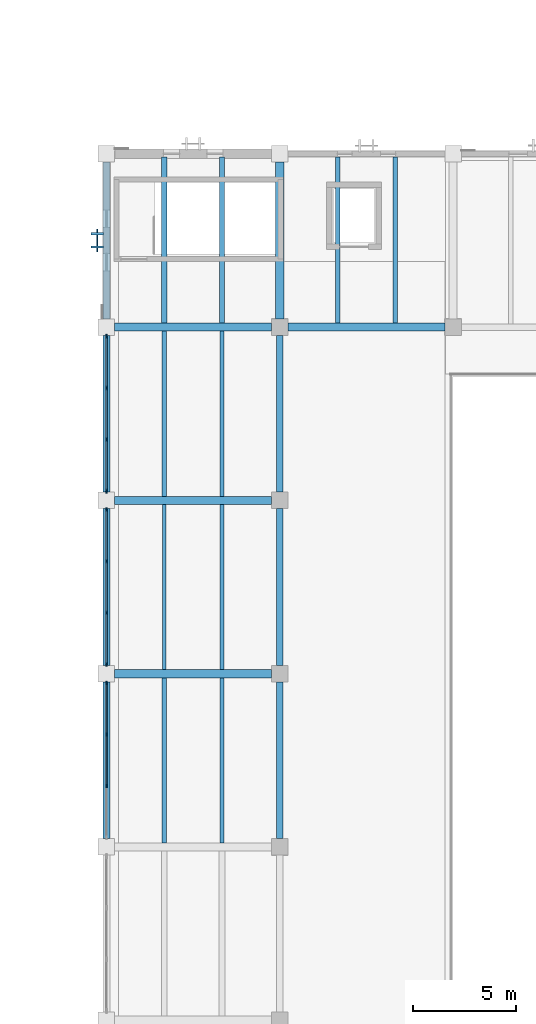
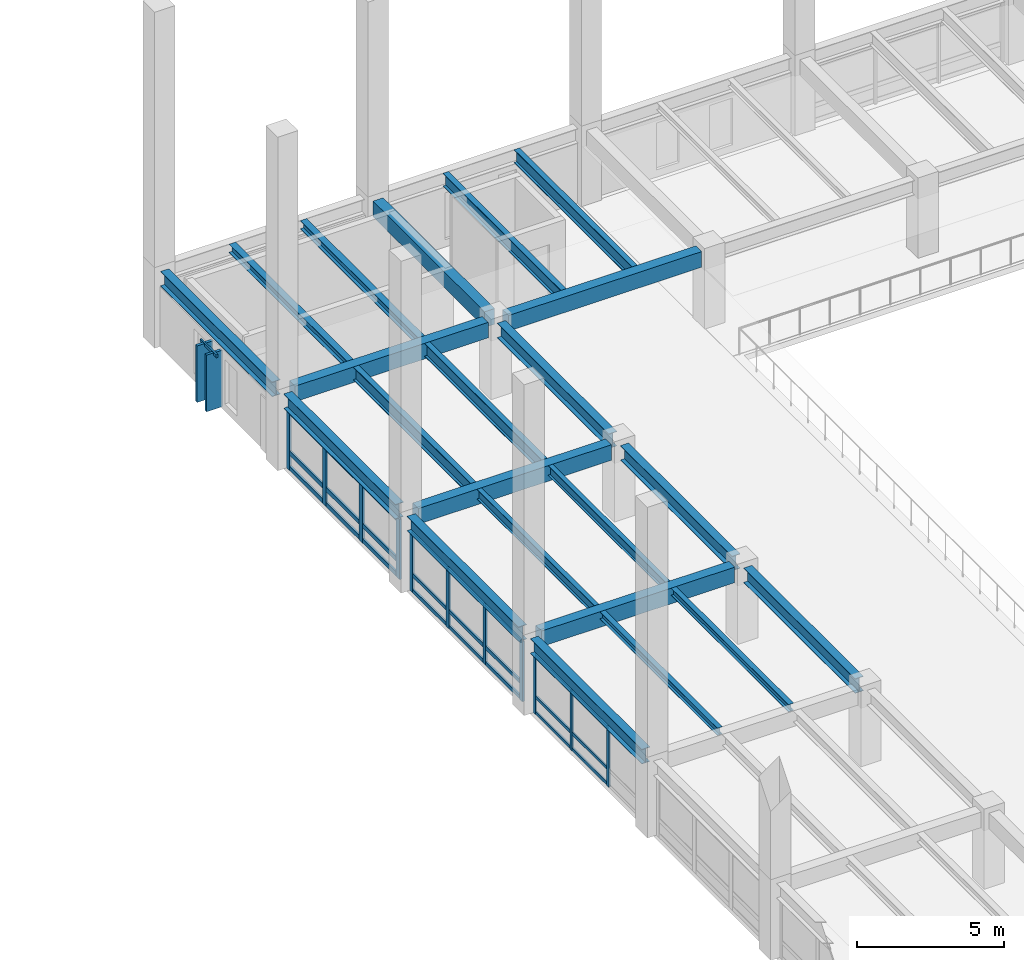
# One storey, part 6 of 64: 38 members, 22 beams, 4 elements without a shape of their own.
"""IFC4 building model written with IfcOpenShell, lengths in metres."""

from ifc_helpers import new_model, si_unit, direction, frame, origin, origin_2d, place, context, subcontext, project, spatial, rectangle, i_section, extrude, material, material_profile, profile_set, type_object, element, aggregate, save


model = new_model("IFC4")

# Units and contexts
model_context = context("Model", 3, precision=1e-05, world=origin(), true_north=direction((0.0, 1.0)))
body_context = subcontext(model_context, "Body", "Model", "MODEL_VIEW")
ifc_project = project(units=[si_unit("LENGTHUNIT", "METRE"), si_unit("AREAUNIT", "SQUARE_METRE"), si_unit("VOLUMEUNIT", "CUBIC_METRE"), si_unit("PLANEANGLEUNIT", "RADIAN"), si_unit("MASSUNIT", "GRAM", prefix="KILO")], contexts=[model_context])

# Site, building, storey
site_placement = place(None, origin())
site = spatial("IfcSite", under=ifc_project, at=site_placement, CompositionType="ELEMENT")
building_placement = place(site_placement, origin())
building = spatial("IfcBuilding", under=site, at=building_placement, Name="Cumbredor Promenade Congress Hotel", CompositionType="ELEMENT")
storey_placement = place(building_placement, frame((0.0, 0.0, 18.47998046875)))
storey = spatial("IfcBuildingStorey", under=building, at=storey_placement, Name="L05", CompositionType="ELEMENT", Elevation=18.47998046875)

# Beams
ifc_material_1 = material(Name="Concrete C40/50", Category="concrete")
ifc_material_profile_1 = material_profile(ifc_material_1, rectangle(XDim=0.39990234375, YDim=0.64990234375, at=origin_2d()), Name="RC BEAM 400x650")
ifc_profile_set_1 = profile_set([ifc_material_profile_1], Name="Concrete C40/50")
beam_type_1 = type_object("IfcBeamType", Name="BM-RC-400x650", PredefinedType="BEAM", material=ifc_profile_set_1)
for number, where, z_axis, x_axis, name in (
    (1, (8.800048828125, 42.0, 2.794921875), (1.0, 0.0, 0.0), (0.0, 1.0, 0.0), "L06 X-Grid Beam 016"),
    (2, (8.800048828125, 50.39990234375, 2.794921875), (1.0, 0.0, 0.0), (0.0, 1.0, 0.0), "L06 X-Grid Beam 018"),
    (3, (8.800048828125, 58.800048828125, 2.794921875), (1.0, 0.0, 0.0), (0.0, 1.0, 0.0), "L06 X-Grid Beam 020"),
):
    element("IfcBeam", number, at=place(storey_placement, frame(where, z_axis=z_axis, x_axis=x_axis)), inside=storey, type_object=beam_type_1, Name=name, PredefinedType="BEAM", context=body_context, shape_type="SweptSolid", body=[
        extrude(rectangle(XDim=0.39990234375, YDim=0.64990234375, at=origin_2d()), origin(), (0.0, 0.0, 1.0), 7.599853515625),
    ])
for number, where, z_axis, x_axis, name in (
    (4, (17.199951171875, 58.800048828125, 2.794921875), (1.0, 0.0, 0.0), (0.0, 1.0, 0.0), "L06 X-Grid Beam 038"),
    (5, (16.800048828125, 59.199951171875, 2.794921875), (0.0, 1.0, 0.0), (-1.0, 0.0, 0.0), "L06 Y-Grid Beam 039"),
):
    element("IfcBeam", number, at=place(storey_placement, frame(where, z_axis=z_axis, x_axis=x_axis)), inside=storey, type_object=beam_type_1, Name=name, PredefinedType="BEAM", context=body_context, shape_type="SweptSolid", body=[
        extrude(rectangle(XDim=0.39990234375, YDim=0.64990234375, at=origin_2d()), origin(), (0.0, 0.0, 1.0), 7.60009765625),
    ])

# Curtain wall, members
ifc_material_2 = material(Name="Thermally broken anodized aluminium and low-E glass", Category="aluminium")
curtain_wall_type_1 = type_object("IfcCurtainWallType", Name="Unitised Bronze Curtain Wall CW-01", PredefinedType="NOTDEFINED", material=ifc_material_2)
curtain_wall_1_placement = place(storey_placement, origin())
curtain_wall_1 = element("IfcCurtainWall", 6, at=curtain_wall_1_placement, inside=storey, type_object=curtain_wall_type_1, Name="L05 Plenary Congress Hall West Curtain Wall 4", PredefinedType="NOTDEFINED")
ifc_material_3 = material(Name="Thermally broken anodized aluminium", Category="aluminium")
ifc_material_profile_2 = material_profile(ifc_material_3, rectangle(XDim=0.06494140625, YDim=0.159912109375, at=origin_2d()), Name="ALU MULLION 65x160")
ifc_profile_set_2 = profile_set([ifc_material_profile_2], Name="Thermally broken anodized aluminium")
member_type_1 = type_object("IfcMemberType", Name="Curtain Wall Mullion ML-01", PredefinedType="MULLION", material=ifc_profile_set_2)
member_1_placement = place(storey_placement, frame((8.39990234375, 36.5517578125, -0.008056640625), z_axis=(0.0, 0.0, 1.0), x_axis=(1.0, 0.0, 0.0)))
member_1 = element("IfcMember", 7, at=member_1_placement, type_object=member_type_1, Name="L05 Plenary Congress Hall West Curtain Wall 4 Mullion 2", PredefinedType="MULLION", context=body_context, shape_type="SweptSolid", body=[
    extrude(rectangle(XDim=0.06494140625, YDim=0.159912109375, at=origin_2d()), origin(), (0.0, 0.0, 1.0), 2.510009765625),
])
member_2_placement = place(storey_placement, frame((8.39990234375, 39.04833984375, -0.008056640625), z_axis=(0.0, 0.0, 1.0), x_axis=(1.0, 0.0, 0.0)))
member_2 = element("IfcMember", 8, at=member_2_placement, type_object=member_type_1, Name="L05 Plenary Congress Hall West Curtain Wall 4 Mullion 3", PredefinedType="MULLION", context=body_context, shape_type="SweptSolid", body=[
    extrude(rectangle(XDim=0.06494140625, YDim=0.159912109375, at=origin_2d()), origin(), (0.0, 0.0, 1.0), 2.510009765625),
])
member_3_placement = place(storey_placement, frame((8.39990234375, 41.544921875, -0.008056640625), z_axis=(0.0, 0.0, 1.0), x_axis=(1.0, 0.0, 0.0)))
member_3 = element("IfcMember", 9, at=member_3_placement, type_object=member_type_1, Name="L05 Plenary Congress Hall West Curtain Wall 4 Mullion 4", PredefinedType="MULLION", context=body_context, shape_type="SweptSolid", body=[
    extrude(rectangle(XDim=0.06494140625, YDim=0.159912109375, at=origin_2d()), origin(), (0.0, 0.0, 1.0), 2.510009765625),
])

curtain_wall_2_placement = place(storey_placement, origin())
curtain_wall_2 = element("IfcCurtainWall", 10, at=curtain_wall_2_placement, inside=storey, type_object=curtain_wall_type_1, Name="L05 Plenary Congress Hall West Curtain Wall 5", PredefinedType="NOTDEFINED")
ifc_material_profile_3 = material_profile(ifc_material_3, rectangle(XDim=0.074951171875, YDim=0.199951171875, at=origin_2d()), Name="ALU MULLION 75x200")
ifc_profile_set_3 = profile_set([ifc_material_profile_3], Name="Thermally broken anodized aluminium")
member_type_2 = type_object("IfcMemberType", Name="Curtain Wall Mullion ML-02", PredefinedType="MULLION", material=ifc_profile_set_3)
member_4_placement = place(storey_placement, frame((8.39990234375, 42.455078125, -0.008056640625), z_axis=(0.0, 0.0, 1.0), x_axis=(1.0, 0.0, 0.0)))
member_4 = element("IfcMember", 11, at=member_4_placement, type_object=member_type_2, Name="L05 Plenary Congress Hall West Curtain Wall 5 Mullion 1", PredefinedType="MULLION", context=body_context, shape_type="SweptSolid", body=[
    extrude(rectangle(XDim=0.074951171875, YDim=0.199951171875, at=origin_2d()), origin(), (0.0, 0.0, 1.0), 2.510009765625),
])
member_5_placement = place(storey_placement, frame((8.39990234375, 44.95166015625, -0.008056640625), z_axis=(0.0, 0.0, 1.0), x_axis=(1.0, 0.0, 0.0)))
member_5 = element("IfcMember", 12, at=member_5_placement, type_object=member_type_2, Name="L05 Plenary Congress Hall West Curtain Wall 5 Mullion 2", PredefinedType="MULLION", context=body_context, shape_type="SweptSolid", body=[
    extrude(rectangle(XDim=0.074951171875, YDim=0.199951171875, at=origin_2d()), origin(), (0.0, 0.0, 1.0), 2.510009765625),
])
member_6_placement = place(storey_placement, frame((8.39990234375, 47.4482421875, -0.008056640625), z_axis=(0.0, 0.0, 1.0), x_axis=(1.0, 0.0, 0.0)))
member_6 = element("IfcMember", 13, at=member_6_placement, type_object=member_type_2, Name="L05 Plenary Congress Hall West Curtain Wall 5 Mullion 3", PredefinedType="MULLION", context=body_context, shape_type="SweptSolid", body=[
    extrude(rectangle(XDim=0.074951171875, YDim=0.199951171875, at=origin_2d()), origin(), (0.0, 0.0, 1.0), 2.510009765625),
])
member_7_placement = place(storey_placement, frame((8.39990234375, 49.945068359375, -0.008056640625), z_axis=(0.0, 0.0, 1.0), x_axis=(1.0, 0.0, 0.0)))
member_7 = element("IfcMember", 14, at=member_7_placement, type_object=member_type_2, Name="L05 Plenary Congress Hall West Curtain Wall 5 Mullion 4", PredefinedType="MULLION", context=body_context, shape_type="SweptSolid", body=[
    extrude(rectangle(XDim=0.074951171875, YDim=0.199951171875, at=origin_2d()), origin(), (0.0, 0.0, 1.0), 2.510009765625),
])

curtain_wall_3_placement = place(storey_placement, origin())
curtain_wall_3 = element("IfcCurtainWall", 15, at=curtain_wall_3_placement, inside=storey, type_object=curtain_wall_type_1, Name="L05 Plenary Congress Hall West Curtain Wall 6", PredefinedType="NOTDEFINED")
ifc_material_profile_4 = material_profile(ifc_material_3, rectangle(XDim=0.080078125, YDim=0.239990234375, at=origin_2d()), Name="ALU MULLION 80x240")
ifc_profile_set_4 = profile_set([ifc_material_profile_4], Name="Thermally broken anodized aluminium")
member_type_3 = type_object("IfcMemberType", Name="Curtain Wall Mullion ML-03", PredefinedType="MULLION", material=ifc_profile_set_4)
member_8_placement = place(storey_placement, frame((8.39990234375, 50.85498046875, -0.008056640625), z_axis=(0.0, 0.0, 1.0), x_axis=(1.0, 0.0, 0.0)))
member_8 = element("IfcMember", 16, at=member_8_placement, type_object=member_type_3, Name="L05 Plenary Congress Hall West Curtain Wall 6 Mullion 1", PredefinedType="MULLION", context=body_context, shape_type="SweptSolid", body=[
    extrude(rectangle(XDim=0.080078125, YDim=0.239990234375, at=origin_2d()), origin(), (0.0, 0.0, 1.0), 2.510009765625),
])
member_9_placement = place(storey_placement, frame((8.39990234375, 53.351806640625, -0.008056640625), z_axis=(0.0, 0.0, 1.0), x_axis=(1.0, 0.0, 0.0)))
member_9 = element("IfcMember", 17, at=member_9_placement, type_object=member_type_3, Name="L05 Plenary Congress Hall West Curtain Wall 6 Mullion 2", PredefinedType="MULLION", context=body_context, shape_type="SweptSolid", body=[
    extrude(rectangle(XDim=0.080078125, YDim=0.239990234375, at=origin_2d()), origin(), (0.0, 0.0, 1.0), 2.510009765625),
])
member_10_placement = place(storey_placement, frame((8.39990234375, 55.848388671875, -0.008056640625), z_axis=(0.0, 0.0, 1.0), x_axis=(1.0, 0.0, 0.0)))
member_10 = element("IfcMember", 18, at=member_10_placement, type_object=member_type_3, Name="L05 Plenary Congress Hall West Curtain Wall 6 Mullion 3", PredefinedType="MULLION", context=body_context, shape_type="SweptSolid", body=[
    extrude(rectangle(XDim=0.080078125, YDim=0.239990234375, at=origin_2d()), origin(), (0.0, 0.0, 1.0), 2.510009765625),
])
member_11_placement = place(storey_placement, frame((8.39990234375, 58.344970703125, -0.008056640625), z_axis=(0.0, 0.0, 1.0), x_axis=(1.0, 0.0, 0.0)))
member_11 = element("IfcMember", 19, at=member_11_placement, type_object=member_type_3, Name="L05 Plenary Congress Hall West Curtain Wall 6 Mullion 4", PredefinedType="MULLION", context=body_context, shape_type="SweptSolid", body=[
    extrude(rectangle(XDim=0.080078125, YDim=0.239990234375, at=origin_2d()), origin(), (0.0, 0.0, 1.0), 2.510009765625),
])

# Member
ifc_material_profile_5 = material_profile(ifc_material_3, rectangle(XDim=0.06494140625, YDim=0.1298828125, at=origin_2d()), Name="ALU TRANSOM 65x130")
ifc_profile_set_5 = profile_set([ifc_material_profile_5], Name="Thermally broken anodized aluminium")
member_type_4 = type_object("IfcMemberType", Name="Curtain Wall Transom TR-01", PredefinedType="USERDEFINED", material=ifc_profile_set_5)
member_12_placement = place(storey_placement, frame((8.39990234375, 36.584228515625, 0.070068359375), z_axis=(0.0, 1.0, 0.0), x_axis=(-1.0, 0.0, 0.0)))
member_12 = element("IfcMember", 20, at=member_12_placement, type_object=member_type_4, Name="L05 Plenary Congress Hall West Curtain Wall 4 Transom 2.1", ObjectType="TRANSOM", PredefinedType="USERDEFINED", context=body_context, shape_type="SweptSolid", body=[
    extrude(rectangle(XDim=0.06494140625, YDim=0.1298828125, at=origin_2d()), origin(), (0.0, 0.0, 1.0), 2.431640625),
])

member_13_placement = place(storey_placement, frame((8.39990234375, 36.584228515625, 0.719970703125), z_axis=(0.0, 1.0, 0.0), x_axis=(-1.0, 0.0, 0.0)))
member_13 = element("IfcMember", 21, at=member_13_placement, type_object=member_type_4, Name="L05 Plenary Congress Hall West Curtain Wall 4 Transom 2.2", ObjectType="TRANSOM", PredefinedType="USERDEFINED", context=body_context, shape_type="SweptSolid", body=[
    extrude(rectangle(XDim=0.06494140625, YDim=0.1298828125, at=origin_2d()), origin(), (0.0, 0.0, 1.0), 2.431640625),
])

member_14_placement = place(storey_placement, frame((8.39990234375, 36.584228515625, 2.429931640625), z_axis=(0.0, 1.0, 0.0), x_axis=(-1.0, 0.0, 0.0)))
member_14 = element("IfcMember", 22, at=member_14_placement, type_object=member_type_4, Name="L05 Plenary Congress Hall West Curtain Wall 4 Transom 2.3", ObjectType="TRANSOM", PredefinedType="USERDEFINED", context=body_context, shape_type="SweptSolid", body=[
    extrude(rectangle(XDim=0.06494140625, YDim=0.1298828125, at=origin_2d()), origin(), (0.0, 0.0, 1.0), 2.431640625),
])

member_15_placement = place(storey_placement, frame((8.39990234375, 39.080810546875, 0.070068359375), z_axis=(0.0, 1.0, 0.0), x_axis=(-1.0, 0.0, 0.0)))
member_15 = element("IfcMember", 23, at=member_15_placement, type_object=member_type_4, Name="L05 Plenary Congress Hall West Curtain Wall 4 Transom 3.1", ObjectType="TRANSOM", PredefinedType="USERDEFINED", context=body_context, shape_type="SweptSolid", body=[
    extrude(rectangle(XDim=0.06494140625, YDim=0.1298828125, at=origin_2d()), origin(), (0.0, 0.0, 1.0), 2.431640625),
])

member_16_placement = place(storey_placement, frame((8.39990234375, 39.080810546875, 0.719970703125), z_axis=(0.0, 1.0, 0.0), x_axis=(-1.0, 0.0, 0.0)))
member_16 = element("IfcMember", 24, at=member_16_placement, type_object=member_type_4, Name="L05 Plenary Congress Hall West Curtain Wall 4 Transom 3.2", ObjectType="TRANSOM", PredefinedType="USERDEFINED", context=body_context, shape_type="SweptSolid", body=[
    extrude(rectangle(XDim=0.06494140625, YDim=0.1298828125, at=origin_2d()), origin(), (0.0, 0.0, 1.0), 2.431640625),
])

member_17_placement = place(storey_placement, frame((8.39990234375, 39.080810546875, 2.429931640625), z_axis=(0.0, 1.0, 0.0), x_axis=(-1.0, 0.0, 0.0)))
member_17 = element("IfcMember", 25, at=member_17_placement, type_object=member_type_4, Name="L05 Plenary Congress Hall West Curtain Wall 4 Transom 3.3", ObjectType="TRANSOM", PredefinedType="USERDEFINED", context=body_context, shape_type="SweptSolid", body=[
    extrude(rectangle(XDim=0.06494140625, YDim=0.1298828125, at=origin_2d()), origin(), (0.0, 0.0, 1.0), 2.431640625),
])

aggregate(curtain_wall_1, [member_1, member_2, member_3, member_12, member_13, member_14, member_15, member_16, member_17])

# Curtain wall, member
curtain_wall_type_2 = type_object("IfcCurtainWallType", Name="Solar Brise-Soleil Screen Assembly CW-07", PredefinedType="NOTDEFINED", material=ifc_material_2)
curtain_wall_4_placement = place(storey_placement, origin())
curtain_wall_4 = element("IfcCurtainWall", 26, at=curtain_wall_4_placement, inside=storey, type_object=curtain_wall_type_2, Name="L05 Pier Brise-Soleil Screen 0838", PredefinedType="NOTDEFINED")
member_18_placement = place(storey_placement, frame((7.949951171875, 62.449951171875, 2.333984375), z_axis=(0.0, 1.0, 0.0), x_axis=(-1.0, 0.0, 0.0)))
member_18 = element("IfcMember", 27, at=member_18_placement, type_object=member_type_4, Name="L05 Pier Brise-Soleil Header 0840", ObjectType="TRANSOM", PredefinedType="USERDEFINED", context=body_context, shape_type="SweptSolid", body=[
    extrude(rectangle(XDim=0.06494140625, YDim=0.1298828125, at=origin_2d()), origin(), (0.0, 0.0, 1.0), 1.10009765625),
])

# Member
ifc_material_profile_6 = material_profile(ifc_material_3, rectangle(XDim=0.074951171875, YDim=0.14990234375, at=origin_2d()), Name="ALU TRANSOM 75x150")
ifc_profile_set_6 = profile_set([ifc_material_profile_6], Name="Thermally broken anodized aluminium")
member_type_5 = type_object("IfcMemberType", Name="Curtain Wall Transom TR-02", PredefinedType="USERDEFINED", material=ifc_profile_set_6)
member_19_placement = place(storey_placement, frame((8.39990234375, 42.492431640625, 0.070068359375), z_axis=(0.0, 1.0, 0.0), x_axis=(-1.0, 0.0, 0.0)))
member_19 = element("IfcMember", 28, at=member_19_placement, type_object=member_type_5, Name="L05 Plenary Congress Hall West Curtain Wall 5 Transom 1.1", ObjectType="TRANSOM", PredefinedType="USERDEFINED", context=body_context, shape_type="SweptSolid", body=[
    extrude(rectangle(XDim=0.074951171875, YDim=0.14990234375, at=origin_2d()), origin(), (0.0, 0.0, 1.0), 2.421875),
])

member_20_placement = place(storey_placement, frame((8.39990234375, 42.492431640625, 0.719970703125), z_axis=(0.0, 1.0, 0.0), x_axis=(-1.0, 0.0, 0.0)))
member_20 = element("IfcMember", 29, at=member_20_placement, type_object=member_type_5, Name="L05 Plenary Congress Hall West Curtain Wall 5 Transom 1.2", ObjectType="TRANSOM", PredefinedType="USERDEFINED", context=body_context, shape_type="SweptSolid", body=[
    extrude(rectangle(XDim=0.074951171875, YDim=0.14990234375, at=origin_2d()), origin(), (0.0, 0.0, 1.0), 2.421875),
])

member_21_placement = place(storey_placement, frame((8.39990234375, 42.492431640625, 2.419921875), z_axis=(0.0, 1.0, 0.0), x_axis=(-1.0, 0.0, 0.0)))
member_21 = element("IfcMember", 30, at=member_21_placement, type_object=member_type_5, Name="L05 Plenary Congress Hall West Curtain Wall 5 Transom 1.3", ObjectType="TRANSOM", PredefinedType="USERDEFINED", context=body_context, shape_type="SweptSolid", body=[
    extrude(rectangle(XDim=0.074951171875, YDim=0.14990234375, at=origin_2d()), origin(), (0.0, 0.0, 1.0), 2.421875),
])

member_22_placement = place(storey_placement, frame((8.39990234375, 44.9892578125, 0.070068359375), z_axis=(0.0, 1.0, 0.0), x_axis=(-1.0, 0.0, 0.0)))
member_22 = element("IfcMember", 31, at=member_22_placement, type_object=member_type_5, Name="L05 Plenary Congress Hall West Curtain Wall 5 Transom 2.1", ObjectType="TRANSOM", PredefinedType="USERDEFINED", context=body_context, shape_type="SweptSolid", body=[
    extrude(rectangle(XDim=0.074951171875, YDim=0.14990234375, at=origin_2d()), origin(), (0.0, 0.0, 1.0), 2.421630859375),
])

member_23_placement = place(storey_placement, frame((8.39990234375, 44.9892578125, 0.719970703125), z_axis=(0.0, 1.0, 0.0), x_axis=(-1.0, 0.0, 0.0)))
member_23 = element("IfcMember", 32, at=member_23_placement, type_object=member_type_5, Name="L05 Plenary Congress Hall West Curtain Wall 5 Transom 2.2", ObjectType="TRANSOM", PredefinedType="USERDEFINED", context=body_context, shape_type="SweptSolid", body=[
    extrude(rectangle(XDim=0.074951171875, YDim=0.14990234375, at=origin_2d()), origin(), (0.0, 0.0, 1.0), 2.421630859375),
])

member_24_placement = place(storey_placement, frame((8.39990234375, 44.9892578125, 2.419921875), z_axis=(0.0, 1.0, 0.0), x_axis=(-1.0, 0.0, 0.0)))
member_24 = element("IfcMember", 33, at=member_24_placement, type_object=member_type_5, Name="L05 Plenary Congress Hall West Curtain Wall 5 Transom 2.3", ObjectType="TRANSOM", PredefinedType="USERDEFINED", context=body_context, shape_type="SweptSolid", body=[
    extrude(rectangle(XDim=0.074951171875, YDim=0.14990234375, at=origin_2d()), origin(), (0.0, 0.0, 1.0), 2.421630859375),
])

member_25_placement = place(storey_placement, frame((8.39990234375, 47.48583984375, 0.070068359375), z_axis=(0.0, 1.0, 0.0), x_axis=(-1.0, 0.0, 0.0)))
member_25 = element("IfcMember", 34, at=member_25_placement, type_object=member_type_5, Name="L05 Plenary Congress Hall West Curtain Wall 5 Transom 3.1", ObjectType="TRANSOM", PredefinedType="USERDEFINED", context=body_context, shape_type="SweptSolid", body=[
    extrude(rectangle(XDim=0.074951171875, YDim=0.14990234375, at=origin_2d()), origin(), (0.0, 0.0, 1.0), 2.421630859375),
])

member_26_placement = place(storey_placement, frame((8.39990234375, 47.48583984375, 0.719970703125), z_axis=(0.0, 1.0, 0.0), x_axis=(-1.0, 0.0, 0.0)))
member_26 = element("IfcMember", 35, at=member_26_placement, type_object=member_type_5, Name="L05 Plenary Congress Hall West Curtain Wall 5 Transom 3.2", ObjectType="TRANSOM", PredefinedType="USERDEFINED", context=body_context, shape_type="SweptSolid", body=[
    extrude(rectangle(XDim=0.074951171875, YDim=0.14990234375, at=origin_2d()), origin(), (0.0, 0.0, 1.0), 2.421630859375),
])

member_27_placement = place(storey_placement, frame((8.39990234375, 47.48583984375, 2.419921875), z_axis=(0.0, 1.0, 0.0), x_axis=(-1.0, 0.0, 0.0)))
member_27 = element("IfcMember", 36, at=member_27_placement, type_object=member_type_5, Name="L05 Plenary Congress Hall West Curtain Wall 5 Transom 3.3", ObjectType="TRANSOM", PredefinedType="USERDEFINED", context=body_context, shape_type="SweptSolid", body=[
    extrude(rectangle(XDim=0.074951171875, YDim=0.14990234375, at=origin_2d()), origin(), (0.0, 0.0, 1.0), 2.421630859375),
])

aggregate(curtain_wall_2, [member_4, member_5, member_6, member_7, member_19, member_20, member_21, member_22, member_23, member_24, member_25, member_26, member_27])

ifc_material_profile_7 = material_profile(ifc_material_3, rectangle(XDim=0.080078125, YDim=0.179931640625, at=origin_2d()), Name="ALU TRANSOM 80x180")
ifc_profile_set_7 = profile_set([ifc_material_profile_7], Name="Thermally broken anodized aluminium")
member_type_6 = type_object("IfcMemberType", Name="Curtain Wall Transom TR-03", PredefinedType="USERDEFINED", material=ifc_profile_set_7)
member_28_placement = place(storey_placement, frame((8.39990234375, 50.89501953125, 0.090087890625), z_axis=(0.0, 1.0, 0.0), x_axis=(-1.0, 0.0, 0.0)))
member_28 = element("IfcMember", 37, at=member_28_placement, type_object=member_type_6, Name="L05 Plenary Congress Hall West Curtain Wall 6 Transom 1.1", ObjectType="TRANSOM", PredefinedType="USERDEFINED", context=body_context, shape_type="SweptSolid", body=[
    extrude(rectangle(XDim=0.080078125, YDim=0.179931640625, at=origin_2d()), origin(), (0.0, 0.0, 1.0), 2.416748046875),
])

member_29_placement = place(storey_placement, frame((8.39990234375, 50.89501953125, 0.719970703125), z_axis=(0.0, 1.0, 0.0), x_axis=(-1.0, 0.0, 0.0)))
member_29 = element("IfcMember", 38, at=member_29_placement, type_object=member_type_6, Name="L05 Plenary Congress Hall West Curtain Wall 6 Transom 1.2", ObjectType="TRANSOM", PredefinedType="USERDEFINED", context=body_context, shape_type="SweptSolid", body=[
    extrude(rectangle(XDim=0.080078125, YDim=0.179931640625, at=origin_2d()), origin(), (0.0, 0.0, 1.0), 2.416748046875),
])

member_30_placement = place(storey_placement, frame((8.39990234375, 50.89501953125, 2.39990234375), z_axis=(0.0, 1.0, 0.0), x_axis=(-1.0, 0.0, 0.0)))
member_30 = element("IfcMember", 39, at=member_30_placement, type_object=member_type_6, Name="L05 Plenary Congress Hall West Curtain Wall 6 Transom 1.3", ObjectType="TRANSOM", PredefinedType="USERDEFINED", context=body_context, shape_type="SweptSolid", body=[
    extrude(rectangle(XDim=0.080078125, YDim=0.179931640625, at=origin_2d()), origin(), (0.0, 0.0, 1.0), 2.416748046875),
])

member_31_placement = place(storey_placement, frame((8.39990234375, 53.3916015625, 0.090087890625), z_axis=(0.0, 1.0, 0.0), x_axis=(-1.0, 0.0, 0.0)))
member_31 = element("IfcMember", 40, at=member_31_placement, type_object=member_type_6, Name="L05 Plenary Congress Hall West Curtain Wall 6 Transom 2.1", ObjectType="TRANSOM", PredefinedType="USERDEFINED", context=body_context, shape_type="SweptSolid", body=[
    extrude(rectangle(XDim=0.080078125, YDim=0.179931640625, at=origin_2d()), origin(), (0.0, 0.0, 1.0), 2.416748046875),
])

member_32_placement = place(storey_placement, frame((8.39990234375, 53.3916015625, 0.719970703125), z_axis=(0.0, 1.0, 0.0), x_axis=(-1.0, 0.0, 0.0)))
member_32 = element("IfcMember", 41, at=member_32_placement, type_object=member_type_6, Name="L05 Plenary Congress Hall West Curtain Wall 6 Transom 2.2", ObjectType="TRANSOM", PredefinedType="USERDEFINED", context=body_context, shape_type="SweptSolid", body=[
    extrude(rectangle(XDim=0.080078125, YDim=0.179931640625, at=origin_2d()), origin(), (0.0, 0.0, 1.0), 2.416748046875),
])

member_33_placement = place(storey_placement, frame((8.39990234375, 53.3916015625, 2.39990234375), z_axis=(0.0, 1.0, 0.0), x_axis=(-1.0, 0.0, 0.0)))
member_33 = element("IfcMember", 42, at=member_33_placement, type_object=member_type_6, Name="L05 Plenary Congress Hall West Curtain Wall 6 Transom 2.3", ObjectType="TRANSOM", PredefinedType="USERDEFINED", context=body_context, shape_type="SweptSolid", body=[
    extrude(rectangle(XDim=0.080078125, YDim=0.179931640625, at=origin_2d()), origin(), (0.0, 0.0, 1.0), 2.416748046875),
])

member_34_placement = place(storey_placement, frame((8.39990234375, 55.88818359375, 0.090087890625), z_axis=(0.0, 1.0, 0.0), x_axis=(-1.0, 0.0, 0.0)))
member_34 = element("IfcMember", 43, at=member_34_placement, type_object=member_type_6, Name="L05 Plenary Congress Hall West Curtain Wall 6 Transom 3.1", ObjectType="TRANSOM", PredefinedType="USERDEFINED", context=body_context, shape_type="SweptSolid", body=[
    extrude(rectangle(XDim=0.080078125, YDim=0.179931640625, at=origin_2d()), origin(), (0.0, 0.0, 1.0), 2.416748046875),
])

member_35_placement = place(storey_placement, frame((8.39990234375, 55.88818359375, 0.719970703125), z_axis=(0.0, 1.0, 0.0), x_axis=(-1.0, 0.0, 0.0)))
member_35 = element("IfcMember", 44, at=member_35_placement, type_object=member_type_6, Name="L05 Plenary Congress Hall West Curtain Wall 6 Transom 3.2", ObjectType="TRANSOM", PredefinedType="USERDEFINED", context=body_context, shape_type="SweptSolid", body=[
    extrude(rectangle(XDim=0.080078125, YDim=0.179931640625, at=origin_2d()), origin(), (0.0, 0.0, 1.0), 2.416748046875),
])

member_36_placement = place(storey_placement, frame((8.39990234375, 55.88818359375, 2.39990234375), z_axis=(0.0, 1.0, 0.0), x_axis=(-1.0, 0.0, 0.0)))
member_36 = element("IfcMember", 45, at=member_36_placement, type_object=member_type_6, Name="L05 Plenary Congress Hall West Curtain Wall 6 Transom 3.3", ObjectType="TRANSOM", PredefinedType="USERDEFINED", context=body_context, shape_type="SweptSolid", body=[
    extrude(rectangle(XDim=0.080078125, YDim=0.179931640625, at=origin_2d()), origin(), (0.0, 0.0, 1.0), 2.416748046875),
])

aggregate(curtain_wall_3, [member_8, member_9, member_10, member_11, member_28, member_29, member_30, member_31, member_32, member_33, member_34, member_35, member_36])

# Beams
ifc_material_4 = material(Name="Steel ASTM A992 Grade 50", Category="steel")
ifc_material_profile_8 = material_profile(ifc_material_4, i_section(OverallWidth=0.202880859375, OverallDepth=0.302978515625, WebThickness=0.007568359375, FlangeThickness=0.01318359375, at=origin_2d()), Name="W12X40")
ifc_profile_set_8 = profile_set([ifc_material_profile_8], Name="Steel ASTM A992 Grade 50")
beam_type_2 = type_object("IfcBeamType", Name="JST-W12X40", PredefinedType="JOIST", material=ifc_profile_set_8)
for number, where, z_axis, x_axis, name in (
    (46, (11.199951171875, 33.800048828125, 2.968505859375), (0.0, 1.0, 0.0), (-1.0, 0.0, 0.0), "L06 Secondary Floor Joist 0013"),
    (47, (14.0, 33.800048828125, 2.968505859375), (0.0, 1.0, 0.0), (-1.0, 0.0, 0.0), "L06 Secondary Floor Joist 0014"),
):
    element("IfcBeam", number, at=place(storey_placement, frame(where, z_axis=z_axis, x_axis=x_axis)), inside=storey, type_object=beam_type_2, Name=name, PredefinedType="JOIST", context=body_context, shape_type="SweptSolid", body=[
        extrude(i_section(OverallWidth=0.202880859375, OverallDepth=0.302978515625, WebThickness=0.007568359375, FlangeThickness=0.01318359375, at=origin_2d()), origin(), (0.0, 0.0, 1.0), 8.0),
    ])
ifc_material_profile_9 = material_profile(ifc_material_4, i_section(OverallWidth=0.2548828125, OverallDepth=0.35693359375, WebThickness=0.010498046875, FlangeThickness=0.018310546875, at=origin_2d()), Name="W14X68")
ifc_profile_set_9 = profile_set([ifc_material_profile_9], Name="Steel ASTM A992 Grade 50")
beam_type_3 = type_object("IfcBeamType", Name="JST-W14X68", PredefinedType="JOIST", material=ifc_profile_set_9)
for number, where, z_axis, x_axis, name in (
    (48, (11.199951171875, 59.0, 2.94140625), (0.0, 1.0, 0.0), (-1.0, 0.0, 0.0), "L06 Secondary Floor Joist 0019"),
    (49, (14.0, 59.0, 2.94140625), (0.0, 1.0, 0.0), (-1.0, 0.0, 0.0), "L06 Secondary Floor Joist 0020"),
):
    element("IfcBeam", number, at=place(storey_placement, frame(where, z_axis=z_axis, x_axis=x_axis)), inside=storey, type_object=beam_type_3, Name=name, PredefinedType="JOIST", context=body_context, shape_type="SweptSolid", body=[
        extrude(i_section(OverallWidth=0.2548828125, OverallDepth=0.35693359375, WebThickness=0.010498046875, FlangeThickness=0.018310546875, at=origin_2d()), origin(), (0.0, 0.0, 1.0), 8.0380859375),
    ])
ifc_material_profile_10 = material_profile(ifc_material_4, i_section(OverallWidth=0.180908203125, OverallDepth=0.4169921875, WebThickness=0.010986328125, FlangeThickness=0.018310546875, at=origin_2d()), Name="W16X57")
ifc_profile_set_10 = profile_set([ifc_material_profile_10], Name="Steel ASTM A992 Grade 50")
beam_type_4 = type_object("IfcBeamType", Name="JST-W16X57", PredefinedType="JOIST", material=ifc_profile_set_10)
for number, where, z_axis, x_axis, name in (
    (50, (11.199951171875, 42.199951171875, 2.91162109375), (0.0, 1.0, 0.0), (-1.0, 0.0, 0.0), "L06 Secondary Floor Joist 0015"),
    (51, (14.0, 42.199951171875, 2.91162109375), (0.0, 1.0, 0.0), (-1.0, 0.0, 0.0), "L06 Secondary Floor Joist 0016"),
):
    element("IfcBeam", number, at=place(storey_placement, frame(where, z_axis=z_axis, x_axis=x_axis)), inside=storey, type_object=beam_type_4, Name=name, PredefinedType="JOIST", context=body_context, shape_type="SweptSolid", body=[
        extrude(i_section(OverallWidth=0.180908203125, OverallDepth=0.4169921875, WebThickness=0.010986328125, FlangeThickness=0.018310546875, at=origin_2d()), origin(), (0.0, 0.0, 1.0), 8.0),
    ])
ifc_material_profile_11 = material_profile(ifc_material_4, i_section(OverallWidth=0.214111328125, OverallDepth=0.549072265625, WebThickness=0.0146484375, FlangeThickness=0.023681640625, at=origin_2d()), Name="W21X93")
ifc_profile_set_11 = profile_set([ifc_material_profile_11], Name="Steel ASTM A992 Grade 50")
beam_type_5 = type_object("IfcBeamType", Name="JST-W21X93", PredefinedType="JOIST", material=ifc_profile_set_11)
for number, where, z_axis, x_axis, name in (
    (52, (11.199951171875, 50.60009765625, 2.845458984375), (0.0, 1.0, 0.0), (-1.0, 0.0, 0.0), "L06 Secondary Floor Joist 0017"),
    (53, (14.0, 50.60009765625, 2.845458984375), (0.0, 1.0, 0.0), (-1.0, 0.0, 0.0), "L06 Secondary Floor Joist 0018"),
):
    element("IfcBeam", number, at=place(storey_placement, frame(where, z_axis=z_axis, x_axis=x_axis)), inside=storey, type_object=beam_type_5, Name=name, PredefinedType="JOIST", context=body_context, shape_type="SweptSolid", body=[
        extrude(i_section(OverallWidth=0.214111328125, OverallDepth=0.549072265625, WebThickness=0.0146484375, FlangeThickness=0.023681640625, at=origin_2d()), origin(), (0.0, 0.0, 1.0), 8.0),
    ])
for number, where, z_axis, x_axis, name in (
    (54, (19.60009765625, 59.0, 2.845458984375), (0.0, 1.0, 0.0), (-1.0, 0.0, 0.0), "L06 Secondary Floor Joist 0027"),
    (55, (22.39990234375, 59.0, 2.845458984375), (0.0, 1.0, 0.0), (-1.0, 0.0, 0.0), "L06 Secondary Floor Joist 0028"),
):
    element("IfcBeam", number, at=place(storey_placement, frame(where, z_axis=z_axis, x_axis=x_axis)), inside=storey, type_object=beam_type_5, Name=name, PredefinedType="JOIST", context=body_context, shape_type="SweptSolid", body=[
        extrude(i_section(OverallWidth=0.214111328125, OverallDepth=0.549072265625, WebThickness=0.0146484375, FlangeThickness=0.023681640625, at=origin_2d()), origin(), (0.0, 0.0, 1.0), 8.0380859375),
    ])
ifc_material_profile_12 = material_profile(ifc_material_4, i_section(OverallWidth=0.323974609375, OverallDepth=0.611083984375, WebThickness=0.0126953125, FlangeThickness=0.01904296875, at=origin_2d()), Name="W24X104")
ifc_profile_set_12 = profile_set([ifc_material_profile_12], Name="Steel ASTM A992 Grade 50")
beam_type_6 = type_object("IfcBeamType", Name="SP-W24X104", PredefinedType="SPANDREL", material=ifc_profile_set_12)
for number, where, z_axis, x_axis, name in (
    (56, (8.39990234375, 34.0, 2.814453125), (0.0, 1.0, 0.0), (-1.0, 0.0, 0.0), "L06 Y-Grid Beam 015"),
    (57, (8.39990234375, 42.39990234375, 2.814453125), (0.0, 1.0, 0.0), (-1.0, 0.0, 0.0), "L06 Y-Grid Beam 017"),
):
    element("IfcBeam", number, at=place(storey_placement, frame(where, z_axis=z_axis, x_axis=x_axis)), inside=storey, type_object=beam_type_6, Name=name, PredefinedType="SPANDREL", context=body_context, shape_type="SweptSolid", body=[
        extrude(i_section(OverallWidth=0.323974609375, OverallDepth=0.611083984375, WebThickness=0.0126953125, FlangeThickness=0.01904296875, at=origin_2d()), origin(), (0.0, 0.0, 1.0), 7.60009765625),
    ])
beam_1_placement = place(storey_placement, frame((8.39990234375, 50.800048828125, 2.814453125), z_axis=(0.0, 1.0, 0.0), x_axis=(-1.0, 0.0, 0.0)))
element("IfcBeam", 58, at=beam_1_placement, inside=storey, type_object=beam_type_6, Name="L06 Y-Grid Beam 019", PredefinedType="SPANDREL", context=body_context, shape_type="SweptSolid", body=[
    extrude(i_section(OverallWidth=0.323974609375, OverallDepth=0.611083984375, WebThickness=0.0126953125, FlangeThickness=0.01904296875, at=origin_2d()), origin(), (0.0, 0.0, 1.0), 7.599853515625),
])
for number, where, z_axis, x_axis, name in (
    (59, (8.39990234375, 59.199951171875, 2.814453125), (0.0, 1.0, 0.0), (-1.0, 0.0, 0.0), "L06 Y-Grid Beam 021"),
    (60, (16.800048828125, 34.0, 2.814453125), (0.0, 1.0, 0.0), (-1.0, 0.0, 0.0), "L06 Y-Grid Beam 035"),
    (61, (16.800048828125, 42.39990234375, 2.814453125), (0.0, 1.0, 0.0), (-1.0, 0.0, 0.0), "L06 Y-Grid Beam 036"),
):
    element("IfcBeam", number, at=place(storey_placement, frame(where, z_axis=z_axis, x_axis=x_axis)), inside=storey, type_object=beam_type_6, Name=name, PredefinedType="SPANDREL", context=body_context, shape_type="SweptSolid", body=[
        extrude(i_section(OverallWidth=0.323974609375, OverallDepth=0.611083984375, WebThickness=0.0126953125, FlangeThickness=0.01904296875, at=origin_2d()), origin(), (0.0, 0.0, 1.0), 7.60009765625),
    ])
beam_2_placement = place(storey_placement, frame((16.800048828125, 50.800048828125, 2.814453125), z_axis=(0.0, 1.0, 0.0), x_axis=(-1.0, 0.0, 0.0)))
element("IfcBeam", 62, at=beam_2_placement, inside=storey, type_object=beam_type_6, Name="L06 Y-Grid Beam 037", PredefinedType="SPANDREL", context=body_context, shape_type="SweptSolid", body=[
    extrude(i_section(OverallWidth=0.323974609375, OverallDepth=0.611083984375, WebThickness=0.0126953125, FlangeThickness=0.01904296875, at=origin_2d()), origin(), (0.0, 0.0, 1.0), 7.599853515625),
])

# Member
ifc_material_profile_13 = material_profile(ifc_material_3, rectangle(XDim=0.110107421875, YDim=0.6201171875, at=origin_2d()), Name="ARCH FIN 110x620")
ifc_profile_set_13 = profile_set([ifc_material_profile_13], Name="Thermally broken anodized aluminium")
member_type_7 = type_object("IfcMemberType", Name="Vertical Bronze Brise-Soleil Fin BSF-02 110x620", PredefinedType="USERDEFINED", material=ifc_profile_set_13)
member_37_placement = place(storey_placement, frame((7.949951171875, 62.679931640625, 0.02001953125), z_axis=(0.0, 0.0, 1.0), x_axis=(0.0, 1.0, 0.0)))
member_37 = element("IfcMember", 63, at=member_37_placement, type_object=member_type_7, Name="L05 Pier Brise-Soleil Fin 0839", ObjectType="SOLAR FIN", PredefinedType="USERDEFINED", context=body_context, shape_type="SweptSolid", body=[
    extrude(rectangle(XDim=0.110107421875, YDim=0.6201171875, at=origin_2d()), origin(), (0.0, 0.0, 1.0), 2.35400390625),
])

member_38_placement = place(storey_placement, frame((7.949951171875, 63.320068359375, 0.02001953125), z_axis=(0.0, 0.0, 1.0), x_axis=(0.0, 1.0, 0.0)))
member_38 = element("IfcMember", 64, at=member_38_placement, type_object=member_type_7, Name="L05 Pier Brise-Soleil Fin 0840", ObjectType="SOLAR FIN", PredefinedType="USERDEFINED", context=body_context, shape_type="SweptSolid", body=[
    extrude(rectangle(XDim=0.110107421875, YDim=0.6201171875, at=origin_2d()), origin(), (0.0, 0.0, 1.0), 2.35400390625),
])

aggregate(curtain_wall_4, [member_37, member_38, member_18])

save(model, "model.ifc")
